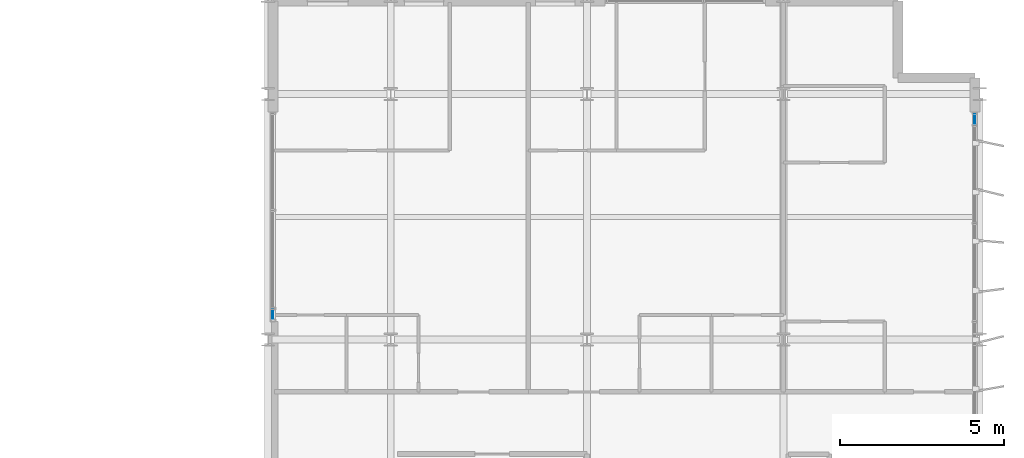
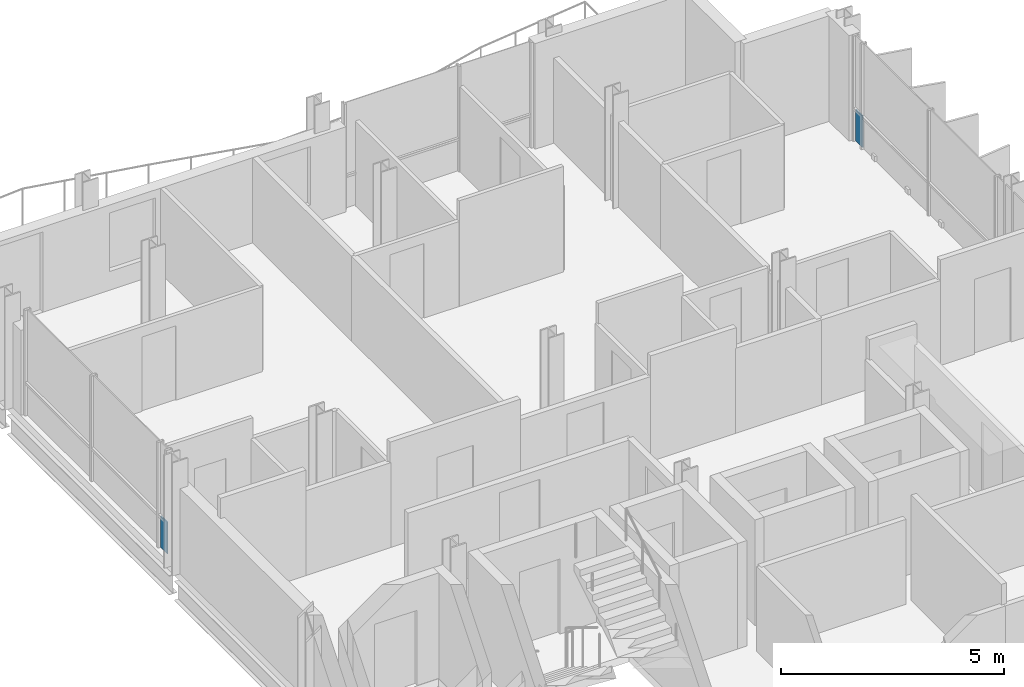
# One storey, part 20 of 29: 2 plates, 2 elements without a shape of their own.
"""IFC4 building model written with IfcOpenShell, lengths in metres."""

import ifcopenshell
import ifcopenshell.guid

model = None  # the IFC model being written
_history = None  # IfcOwnerHistory: only IFC2X3 demands one
_inside = {}  # id of a spatial element -> (the spatial element, [elements in it])
_under = {}  # id of a project, library or spatial element -> (it, [spatial elements below it])
_declared = {}  # id of a project -> (the project, [libraries it declares])
_typed = {}  # id of a type object -> (the type object, [elements of that type])
_made_of = {}  # id of a material, layer set ... -> (it, [elements and type objects made of it])


def new_model(schema):
    """Start an empty IFC model of exactly this schema.

    Asked for "IFC4X3", IfcOpenShell would pick the latest addendum, in which some entities
    have other attributes; the version numbers below select the first issue.
    IFC2X3 requires an IfcOwnerHistory on every rooted entity: one is made here for all.
    """
    global model, _history
    if schema == "IFC4X3":
        model = ifcopenshell.file(schema_version=(4, 3, 0, 0))
    else:
        model = ifcopenshell.file(schema=schema)
    _inside.clear()
    _under.clear()
    _declared.clear()
    _typed.clear()
    _made_of.clear()
    _history = None
    if model.schema == "IFC2X3":
        org = make("IfcOrganization", Name="unknown")
        user = make(
            "IfcPersonAndOrganization",
            ThePerson=make("IfcPerson", FamilyName="unknown"),
            TheOrganization=org,
        )
        app = make(
            "IfcApplication",
            ApplicationDeveloper=org,
            Version="unknown",
            ApplicationFullName="unknown",
            ApplicationIdentifier="unknown",
        )
        _history = make(
            "IfcOwnerHistory",
            OwningUser=user,
            OwningApplication=app,
            ChangeAction="ADDED",
            CreationDate=0,
        )
    return model


def make(cls, **values):
    """One entity of the class cls with the attributes given. An attribute that is None is left unset."""
    return model.create_entity(
        cls, **{name: value for name, value in values.items() if value is not None}
    )


def rooted(cls, **values):
    """An entity with a GlobalId (a new one), such as an element, a storey or a relation."""
    return make(cls, GlobalId=ifcopenshell.guid.new(), OwnerHistory=_history, **values)


def si_unit(unit_type, name, prefix=None):
    """IfcSIUnit, for example si_unit("LENGTHUNIT", "METRE", prefix="MILLI")."""
    return make("IfcSIUnit", UnitType=unit_type, Prefix=prefix, Name=name)


def assignment(units):
    """IfcUnitAssignment: the units of a project."""
    return None if units is None else make("IfcUnitAssignment", Units=units)


def point(xyz):
    """IfcCartesianPoint."""
    return None if xyz is None else make("IfcCartesianPoint", Coordinates=xyz)


def direction(xyz):
    """IfcDirection."""
    return None if xyz is None else make("IfcDirection", DirectionRatios=xyz)


def frame(location, z_axis=None, x_axis=None):
    """IfcAxis2Placement3D, a coordinate frame: its origin and axes. An axis left out is left unset."""
    return make(
        "IfcAxis2Placement3D",
        Location=point(location),
        Axis=direction(z_axis),
        RefDirection=direction(x_axis),
    )


def frame_2d(location, x_axis=None):
    """IfcAxis2Placement2D, a coordinate frame in the plane: its origin and x axis."""
    return make(
        "IfcAxis2Placement2D", Location=point(location), RefDirection=direction(x_axis)
    )


def origin():
    """The frame at (0, 0, 0) with its axes left unset."""
    return frame((0.0, 0.0, 0.0))


def origin_2d():
    """The frame at (0, 0) in the plane with its x axis left unset."""
    return frame_2d((0.0, 0.0))


def place(relative_to, where):
    """IfcLocalPlacement: puts the frame where relative to a parent placement (None: the world)."""
    return make(
        "IfcLocalPlacement", PlacementRelTo=relative_to, RelativePlacement=where
    )


def context(
    kind, dimensions, precision=None, world=None, true_north=None, identifier=None
):
    """IfcGeometricRepresentationContext, for example the 3D "Model" context."""
    return make(
        "IfcGeometricRepresentationContext",
        ContextIdentifier=identifier,
        ContextType=kind,
        CoordinateSpaceDimension=dimensions,
        Precision=precision,
        WorldCoordinateSystem=world,
        TrueNorth=true_north,
    )


def subcontext(parent, identifier, kind, view, scale=None):
    """IfcGeometricRepresentationSubContext, for example "Body" below "Model"."""
    return make(
        "IfcGeometricRepresentationSubContext",
        ContextIdentifier=identifier,
        ContextType=kind,
        ParentContext=parent,
        TargetScale=scale,
        TargetView=view,
    )


def project(units=None, contexts=None):
    """IfcProject with its units and contexts."""
    return rooted(
        "IfcProject",
        Name="project",
        RepresentationContexts=contexts,
        UnitsInContext=assignment(units),
    )


def spatial(cls, under=None, at=None, **own):
    """A site, building, storey or space (cls), placed at a placement, below another one or the project."""
    s = rooted(cls, ObjectPlacement=at, **own)
    if under is not None:
        _under.setdefault(under.id(), (under, []))[1].append(s)
    return s


def profile(cls, at=None, kind="AREA", **sizes):
    """A parametric profile (cls). Its sizes go by their IFC names, for example OverallWidth=200.0."""
    return make(cls, ProfileType=kind, Position=at, **sizes)


def rectangle(**sizes):
    """IfcRectangleProfileDef."""
    return profile("IfcRectangleProfileDef", **sizes)


def extrude(swept, where, along, depth):
    """IfcExtrudedAreaSolid: the profile swept, set in the frame where, extruded along a direction by depth."""
    return make(
        "IfcExtrudedAreaSolid",
        SweptArea=swept,
        Position=where,
        ExtrudedDirection=direction(along),
        Depth=depth,
    )


def shape(context_of_items, identifier, shape_type, items):
    """IfcShapeRepresentation: the items that make up one representation, for example the "Body"."""
    return make(
        "IfcShapeRepresentation",
        ContextOfItems=context_of_items,
        RepresentationIdentifier=identifier,
        RepresentationType=shape_type,
        Items=items,
    )


def material(Name=None, Category=None):
    """IfcMaterial."""
    return make("IfcMaterial", Name=Name, Category=Category)


def layer(
    of_material, thickness, ventilated=None, Name=None, Category=None, Priority=None
):
    """IfcMaterialLayer: one layer of a wall or slab, of a material (None: an air gap)."""
    return make(
        "IfcMaterialLayer",
        Material=of_material,
        LayerThickness=thickness,
        IsVentilated=ventilated,
        Name=Name,
        Category=Category,
        Priority=Priority,
    )


def layer_set(layers, Name=None):
    """IfcMaterialLayerSet."""
    return make("IfcMaterialLayerSet", MaterialLayers=layers, LayerSetName=Name)


def made_of(thing, what):
    """Note that an element or type object is made of a material, layer set ...; save() writes the relation."""
    if what is not None:
        _made_of.setdefault(what.id(), (what, []))[1].append(thing)
    return thing


def type_object(cls, material=None, **own):
    """A type object (cls), such as IfcWallType, which elements share."""
    return made_of(rooted(cls, **own), material)


def element(
    cls,
    number,
    at=None,
    inside=None,
    cuts=None,
    type_object=None,
    material=None,
    context=None,
    identifier="Body",
    shape_type=None,
    held_by="IfcProductDefinitionShape",
    body=None,
    shapes=None,
    **own,
):
    """One element of the class cls, such as IfcWall. Its Tag is "e" and its number.

    at: its placement. inside: the storey or other place that contains it. cuts: it is an
    opening in that element (IfcRelVoidsElement). A single representation is given by context,
    identifier, shape_type and body (its items); several are given by shapes. held_by: the class
    of the entity that holds the representations. save() writes the other relations.
    """
    e = rooted(cls, Tag="e%d" % number, ObjectPlacement=at, **own)
    if body is not None:
        shapes = [shape(context, identifier, shape_type, body)]
    if shapes is not None:
        e.Representation = make(held_by, Representations=shapes)
    if inside is not None:
        _inside.setdefault(inside.id(), (inside, []))[1].append(e)
    if cuts is not None:
        rooted(
            "IfcRelVoidsElement", RelatingBuildingElement=cuts, RelatedOpeningElement=e
        )
    if type_object is not None:
        _typed.setdefault(type_object.id(), (type_object, []))[1].append(e)
    return made_of(e, material)


def aggregate(whole, parts):
    """IfcRelAggregates: a whole, such as a stair, and the parts it consists of."""
    return rooted("IfcRelAggregates", RelatingObject=whole, RelatedObjects=parts)


def save(model, path):
    """Write the relations noted so far, then the file.

    IfcRelAggregates (storeys below a building ...), IfcRelContainedInSpatialStructure (elements
    in a storey), IfcRelDefinesByType, IfcRelAssociatesMaterial and IfcRelDeclares: one each for
    every whole, place, type object, material and project.
    """
    for whole, parts in _under.values():
        aggregate(whole, parts)
    for where, things in _inside.values():
        rooted(
            "IfcRelContainedInSpatialStructure",
            RelatedElements=things,
            RelatingStructure=where,
        )
    for kind, things in _typed.values():
        rooted("IfcRelDefinesByType", RelatedObjects=things, RelatingType=kind)
    for what, things in _made_of.values():
        rooted("IfcRelAssociatesMaterial", RelatedObjects=things, RelatingMaterial=what)
    for by, libraries in _declared.values():
        rooted("IfcRelDeclares", RelatingContext=by, RelatedDefinitions=libraries)
    model.write(path)


model = new_model("IFC4")

# Units and contexts
model_context = context("Model", 3, precision=1e-05, world=origin(), true_north=direction((0.0, 1.0)))
body_context = subcontext(model_context, "Body", "Model", "MODEL_VIEW")
ifc_project = project(units=[si_unit("LENGTHUNIT", "METRE"), si_unit("AREAUNIT", "SQUARE_METRE"), si_unit("VOLUMEUNIT", "CUBIC_METRE"), si_unit("PLANEANGLEUNIT", "RADIAN"), si_unit("MASSUNIT", "GRAM", prefix="KILO")], contexts=[model_context])

# Site, building, storey
site_placement = place(None, origin())
site = spatial("IfcSite", under=ifc_project, at=site_placement, CompositionType="ELEMENT")
building_placement = place(site_placement, origin())
building = spatial("IfcBuilding", under=site, at=building_placement, Name="Brevholm Reach", CompositionType="ELEMENT")
storey_placement = place(building_placement, frame((0.0, 0.0, 198.699951171875)))
storey = spatial("IfcBuildingStorey", under=building, at=storey_placement, Name="L60", CompositionType="ELEMENT", Elevation=198.699951171875)

# Curtain wall, plate
ifc_material_1 = material(Name="Dark Anodised Aluminium 6063-T6 and Solar-Control Glass", Category="aluminium")
ifc_layer_1 = layer(ifc_material_1, 0.1650390625)
ifc_layer_set_1 = layer_set([ifc_layer_1], Name="Dark Anodised Aluminium 6063-T6 and Solar-Control Glass")
curtain_wall_type_1 = type_object("IfcCurtainWallType", Name="CW-04", PredefinedType="NOTDEFINED", material=ifc_layer_set_1)
curtain_wall_1_placement = place(storey_placement, origin())
curtain_wall_1 = element("IfcCurtainWall", 1, at=curtain_wall_1_placement, inside=storey, type_object=curtain_wall_type_1, Name="L60 Curtain Wall CW-04", PredefinedType="NOTDEFINED")
ifc_material_2 = material(Name="Dark Solar-Control Double-Glazed IGU Glass", Category="glass")
ifc_layer_2 = layer(ifc_material_2, 0.028076171875)
ifc_layer_set_2 = layer_set([ifc_layer_2], Name="Dark Solar-Control Double-Glazed IGU Glass")
plate_type = type_object("IfcPlateType", Name="CWP-GLZ-28", PredefinedType="CURTAIN_PANEL", material=ifc_layer_set_2)
plate_1_placement = place(storey_placement, frame((38.39990234375, 16.767578125, 0.0), z_axis=(0.0, 0.0, 1.0), x_axis=(0.0, -1.0, 0.0)))
plate_1 = element("IfcPlate", 2, at=plate_1_placement, type_object=plate_type, Name="CP-01 Glazing Panel 3.1", PredefinedType="CURTAIN_PANEL", context=body_context, shape_type="SweptSolid", body=[
    extrude(rectangle(XDim=0.294921875, YDim=0.028076171875, at=origin_2d()), origin(), (0.0, 0.0, 1.0), 0.864990234375),
])
aggregate(curtain_wall_1, [plate_1])

ifc_material_3 = material(Name="Dark Anodised Aluminium 6063-T6 and Solar-Control Glass", Category="aluminium")
ifc_layer_3 = layer(ifc_material_3, 0.14990234375)
ifc_layer_set_3 = layer_set([ifc_layer_3], Name="Dark Anodised Aluminium 6063-T6 and Solar-Control Glass")
curtain_wall_type_2 = type_object("IfcCurtainWallType", Name="CW-01", PredefinedType="NOTDEFINED", material=ifc_layer_set_3)
curtain_wall_2_placement = place(storey_placement, origin())
curtain_wall_2 = element("IfcCurtainWall", 3, at=curtain_wall_2_placement, inside=storey, type_object=curtain_wall_type_2, Name="L60 Curtain Wall CW-01", PredefinedType="NOTDEFINED")
plate_2_placement = place(storey_placement, frame((59.85009765625, 22.733642578125, 0.0), z_axis=(0.0, 0.0, 1.0), x_axis=(0.0, 1.0, 0.0)))
plate_2 = element("IfcPlate", 4, at=plate_2_placement, type_object=plate_type, Name="CP-01 Glazing Panel 5.1", PredefinedType="CURTAIN_PANEL", context=body_context, shape_type="SweptSolid", body=[
    extrude(rectangle(XDim=0.302490234375, YDim=0.028076171875, at=origin_2d()), origin(), (0.0, 0.0, 1.0), 0.867431640625),
])
aggregate(curtain_wall_2, [plate_2])

save(model, "model.ifc")
